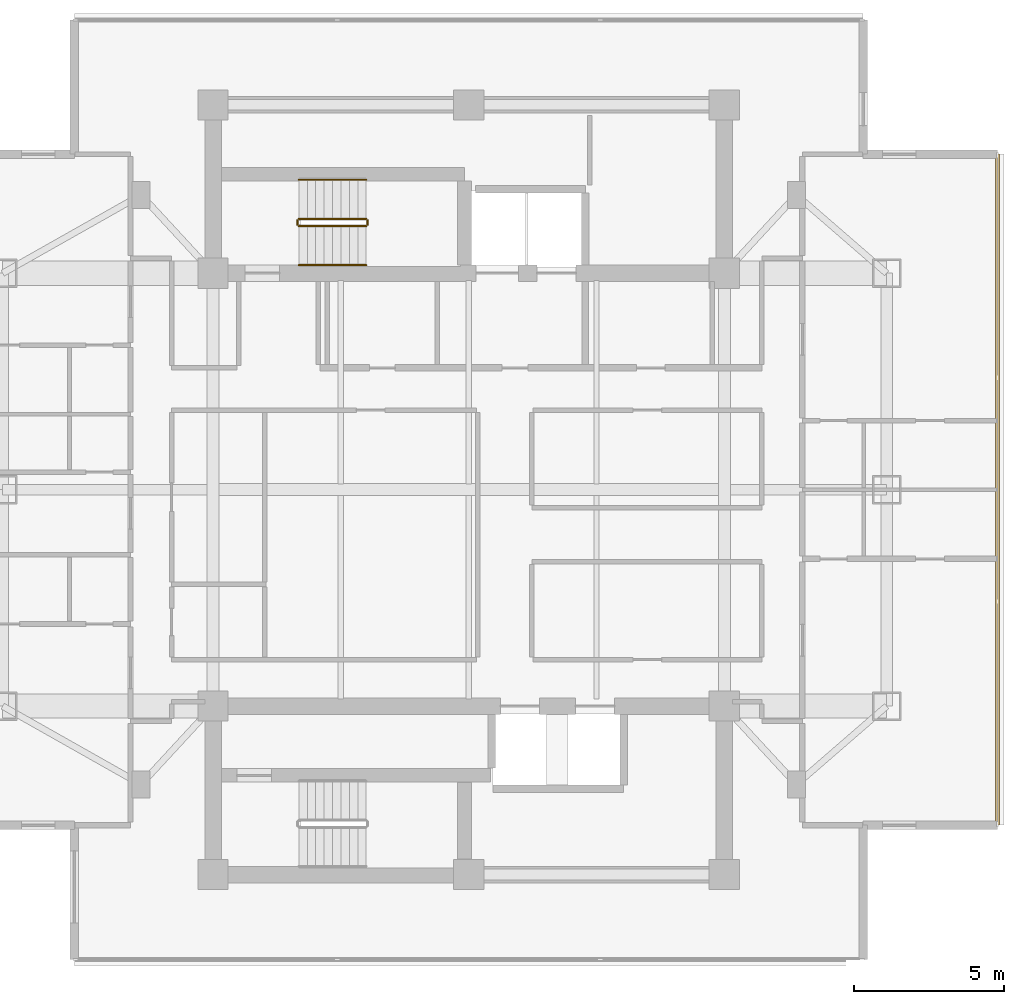
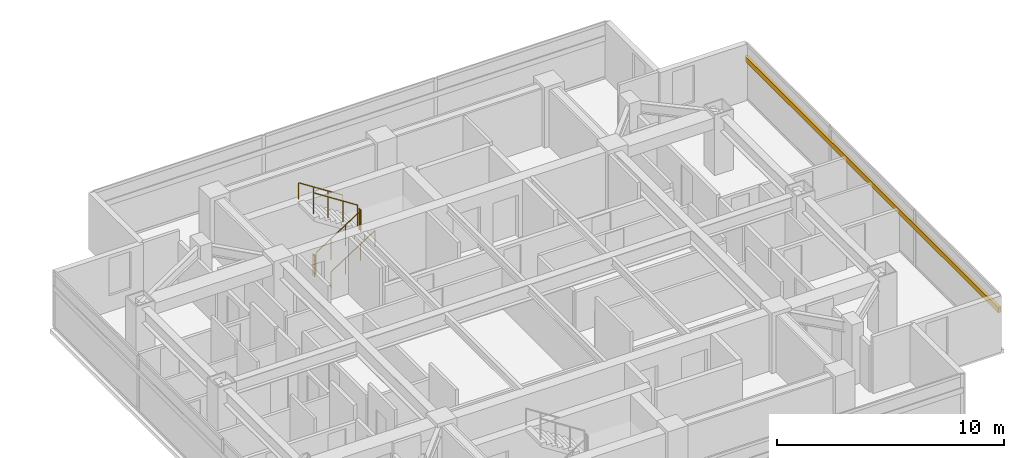
# One storey, part 23 of 24: 6 railings, 1 shading device.
"""IFC4 building model written with IfcOpenShell, lengths in metres."""

from ifc_helpers import new_model, si_unit, direction, frame, origin, origin_2d, place, context, subcontext, project, spatial, rectangle, circle, extrude, material, material_profile, profile_set, type_object, element, save


model = new_model("IFC4")

# Units and contexts
model_context = context("Model", 3, precision=1e-05, world=origin(), true_north=direction((0.0, 1.0)))
body_context = subcontext(model_context, "Body", "Model", "MODEL_VIEW")
ifc_project = project(units=[si_unit("LENGTHUNIT", "METRE"), si_unit("AREAUNIT", "SQUARE_METRE"), si_unit("VOLUMEUNIT", "CUBIC_METRE"), si_unit("PLANEANGLEUNIT", "RADIAN"), si_unit("MASSUNIT", "GRAM", prefix="KILO")], contexts=[model_context])

# Site, building, storey
site_placement = place(None, origin())
site = spatial("IfcSite", under=ifc_project, at=site_placement, CompositionType="ELEMENT")
building_placement = place(site_placement, origin())
building = spatial("IfcBuilding", under=site, at=building_placement, Name="Mirazonda Arch Towers", CompositionType="ELEMENT")
storey_placement = place(building_placement, frame((0.0, 0.0, 167.39990234375)))
storey = spatial("IfcBuildingStorey", under=building, at=storey_placement, Name="L47", CompositionType="ELEMENT", Elevation=167.39990234375)

# Shading device
ifc_material_1 = material(Name="Kiln-Fired Architectural Terracotta", Category="masonry")
ifc_material_profile = material_profile(ifc_material_1, rectangle(XDim=0.139892578125, YDim=0.280029296875, at=origin_2d()), Name="TERRA-BAG-140x280")
ifc_profile_set = profile_set([ifc_material_profile], Name="Kiln-Fired Architectural Terracotta")
shading_device_type = type_object("IfcShadingDeviceType", Name="BAGUETTE-3", PredefinedType="USERDEFINED", material=ifc_profile_set)
shading_device_placement = place(storey_placement, frame((94.08447265625, 16.840576171875, 2.181640625), z_axis=(0.0, 1.0, 0.0), x_axis=(-1.0, 0.0, 0.0)))
element("IfcShadingDevice", 1, at=shading_device_placement, inside=storey, type_object=shading_device_type, Name="L47 Glazed Terracotta Sun-Screen Baguette CW-L47-T2-E", ObjectType="BAGUETTE", PredefinedType="USERDEFINED", context=body_context, shape_type="SweptSolid", body=[
    extrude(rectangle(XDim=0.139892578125, YDim=0.280029296875, at=origin_2d()), origin(), (0.0, 0.0, 1.0), 22.31884765625),
])

# Railings
ifc_material_2 = material(Name="Architectural Brushed Steel S355", Category="steel")
railing_type_1 = type_object("IfcRailingType", Name="GUARD-STAIR-1120", PredefinedType="GUARDRAIL", material=ifc_material_2)
railing_1_placement = place(storey_placement, frame((70.85009765625, 36.77001953125, 0.1806640625)))
element("IfcRailing", 2, at=railing_1_placement, inside=storey, type_object=railing_type_1, Name="L47 ST-T2N stair guard 1", PredefinedType="GUARDRAIL", context=body_context, shape_type="SweptSolid", body=[
    extrude(circle(Radius=0.02392578125, at=origin_2d()), frame((0.0, 0.0, 1.1259765625), z_axis=(0.840436612492, 0.0, 0.541909863706), x_axis=(0.0, 1.0, 0.0)), (0.0, 0.0, 1.0), 2.665283203125),
    extrude(circle(Radius=0.02099609375, at=origin_2d()), origin(), (0.0, 0.0, 1.0), 1.101806640625),
    extrude(circle(Radius=0.02099609375, at=origin_2d()), frame((0.74658203125, 0.0, 0.4814453125)), (0.0, 0.0, 1.0), 1.101806640625),
    extrude(circle(Radius=0.02099609375, at=origin_2d()), frame((1.493408203125, 0.0, 0.962890625)), (0.0, 0.0, 1.0), 1.101806640625),
    extrude(circle(Radius=0.02099609375, at=origin_2d()), frame((2.239990234375, 0.0, 1.4443359375)), (0.0, 0.0, 1.0), 1.101806640625),
])
railing_2_placement = place(storey_placement, frame((73.139892578125, 36.820068359375, 1.625)))
element("IfcRailing", 3, at=railing_2_placement, inside=storey, type_object=railing_type_1, Name="L47 ST-T2N stair guard 2", PredefinedType="GUARDRAIL", context=body_context, shape_type="SweptSolid", body=[
    extrude(circle(Radius=0.02392578125, at=origin_2d()), frame((0.0, 0.0, 1.1259765625), z_axis=(0.0, 1.0, 0.0), x_axis=(-1.0, 0.0, 0.0)), (0.0, 0.0, 1.0), 0.139892578125),
    extrude(circle(Radius=0.02099609375, at=origin_2d()), origin(), (0.0, 0.0, 1.0), 1.101806640625),
    extrude(circle(Radius=0.02099609375, at=origin_2d()), frame((0.0, 0.139892578125, 0.0)), (0.0, 0.0, 1.0), 1.101806640625),
])
railing_3_placement = place(storey_placement, frame((73.090087890625, 37.010009765625, 1.8056640625)))
element("IfcRailing", 4, at=railing_3_placement, inside=storey, type_object=railing_type_1, Name="L47 ST-T2N stair guard 3", PredefinedType="GUARDRAIL", context=body_context, shape_type="SweptSolid", body=[
    extrude(circle(Radius=0.02392578125, at=origin_2d()), frame((0.0, 0.0, 1.1259765625), z_axis=(-0.840436612492, 0.0, 0.541909863706), x_axis=(0.0, -1.0, 0.0)), (0.0, 0.0, 1.0), 2.665283203125),
    extrude(circle(Radius=0.02099609375, at=origin_2d()), origin(), (0.0, 0.0, 1.0), 1.101806640625),
    extrude(circle(Radius=0.02099609375, at=origin_2d()), frame((-0.74658203125, 0.0, 0.4814453125)), (0.0, 0.0, 1.0), 1.101806640625),
    extrude(circle(Radius=0.02099609375, at=origin_2d()), frame((-1.493408203125, 0.0, 0.962890625)), (0.0, 0.0, 1.0), 1.101806640625),
    extrude(circle(Radius=0.02099609375, at=origin_2d()), frame((-2.239990234375, 0.0, 1.4443359375)), (0.0, 0.0, 1.0), 1.101806640625),
])
railing_4_placement = place(storey_placement, frame((70.800048828125, 36.820068359375, 0.0)))
element("IfcRailing", 5, at=railing_4_placement, inside=storey, type_object=railing_type_1, Name="L47 ST-T2N stair guard 4", PredefinedType="GUARDRAIL", context=body_context, shape_type="SweptSolid", body=[
    extrude(circle(Radius=0.02392578125, at=origin_2d()), frame((0.0, 0.0, 1.1259765625), z_axis=(0.0, 1.0, 0.0), x_axis=(-1.0, 0.0, 0.0)), (0.0, 0.0, 1.0), 0.139892578125),
    extrude(circle(Radius=0.02099609375, at=origin_2d()), origin(), (0.0, 0.0, 1.0), 1.101806640625),
    extrude(circle(Radius=0.02099609375, at=origin_2d()), frame((0.0, 0.139892578125, 0.0)), (0.0, 0.0, 1.0), 1.101806640625),
])
railing_type_2 = type_object("IfcRailingType", Name="HANDRAIL-915", PredefinedType="HANDRAIL", material=ifc_material_2)
railing_5_placement = place(storey_placement, frame((70.85009765625, 35.469970703125, 0.1806640625)))
element("IfcRailing", 6, at=railing_5_placement, inside=storey, type_object=railing_type_2, Name="L47 ST-T2N stair handrail 1", PredefinedType="HANDRAIL", context=body_context, shape_type="SweptSolid", body=[
    extrude(circle(Radius=0.02392578125, at=origin_2d()), frame((0.0, 0.0, 0.8759765625), z_axis=(0.840436612492, 0.0, 0.541909863706), x_axis=(0.0, 1.0, 0.0)), (0.0, 0.0, 1.0), 2.665283203125),
    extrude(circle(Radius=0.02099609375, at=origin_2d()), origin(), (0.0, 0.0, 1.0), 0.851806640625),
    extrude(circle(Radius=0.02099609375, at=origin_2d()), frame((0.74658203125, 0.0, 0.4814453125)), (0.0, 0.0, 1.0), 0.851806640625),
    extrude(circle(Radius=0.02099609375, at=origin_2d()), frame((1.493408203125, 0.0, 0.962890625)), (0.0, 0.0, 1.0), 0.851806640625),
    extrude(circle(Radius=0.02099609375, at=origin_2d()), frame((2.239990234375, 0.0, 1.4443359375)), (0.0, 0.0, 1.0), 0.851806640625),
])
railing_6_placement = place(storey_placement, frame((73.090087890625, 38.31005859375, 1.8056640625)))
element("IfcRailing", 7, at=railing_6_placement, inside=storey, type_object=railing_type_2, Name="L47 ST-T2N stair handrail 2", PredefinedType="HANDRAIL", context=body_context, shape_type="SweptSolid", body=[
    extrude(circle(Radius=0.02392578125, at=origin_2d()), frame((0.0, 0.0, 0.8759765625), z_axis=(-0.840436612492, 0.0, 0.541909863706), x_axis=(0.0, -1.0, 0.0)), (0.0, 0.0, 1.0), 2.665283203125),
    extrude(circle(Radius=0.02099609375, at=origin_2d()), origin(), (0.0, 0.0, 1.0), 0.851806640625),
    extrude(circle(Radius=0.02099609375, at=origin_2d()), frame((-0.74658203125, 0.0, 0.4814453125)), (0.0, 0.0, 1.0), 0.851806640625),
    extrude(circle(Radius=0.02099609375, at=origin_2d()), frame((-1.493408203125, 0.0, 0.962890625)), (0.0, 0.0, 1.0), 0.851806640625),
    extrude(circle(Radius=0.02099609375, at=origin_2d()), frame((-2.239990234375, 0.0, 1.4443359375)), (0.0, 0.0, 1.0), 0.851806640625),
])

save(model, "model.ifc")
